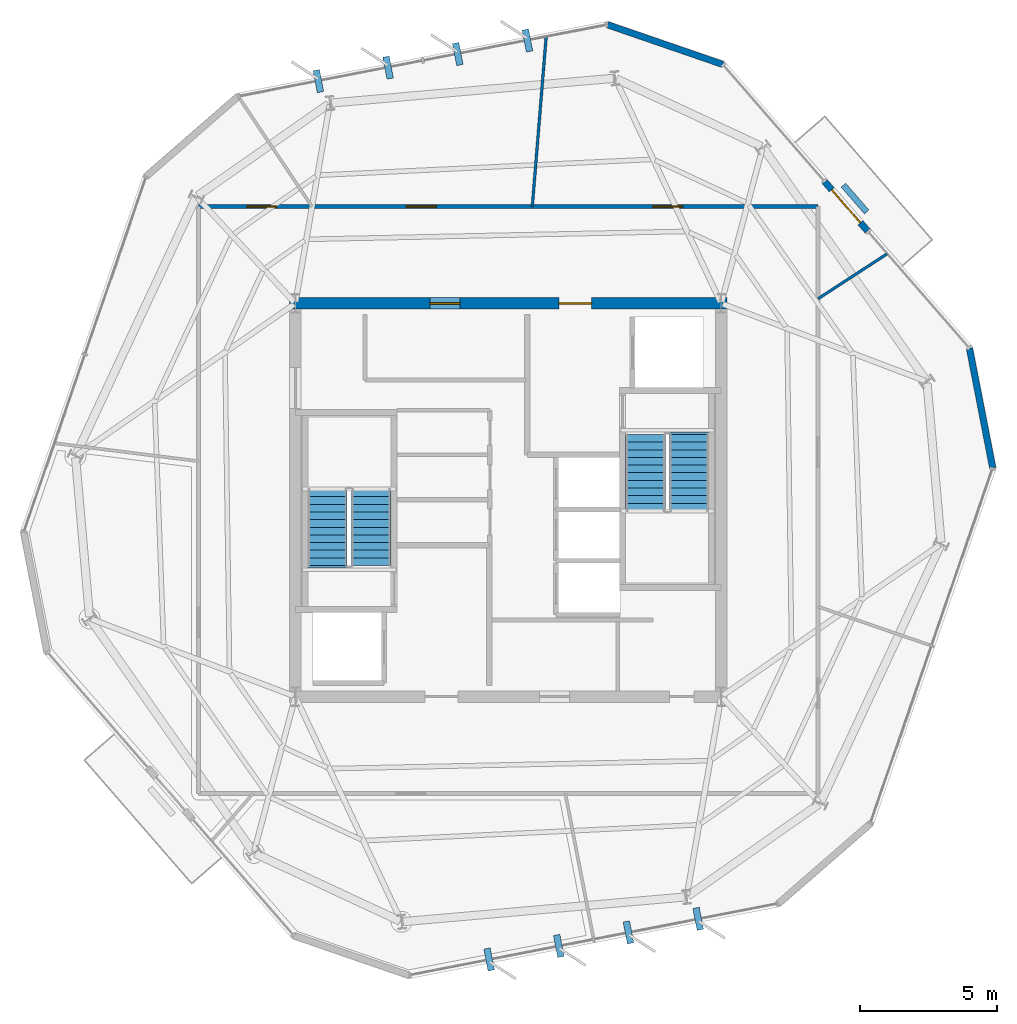
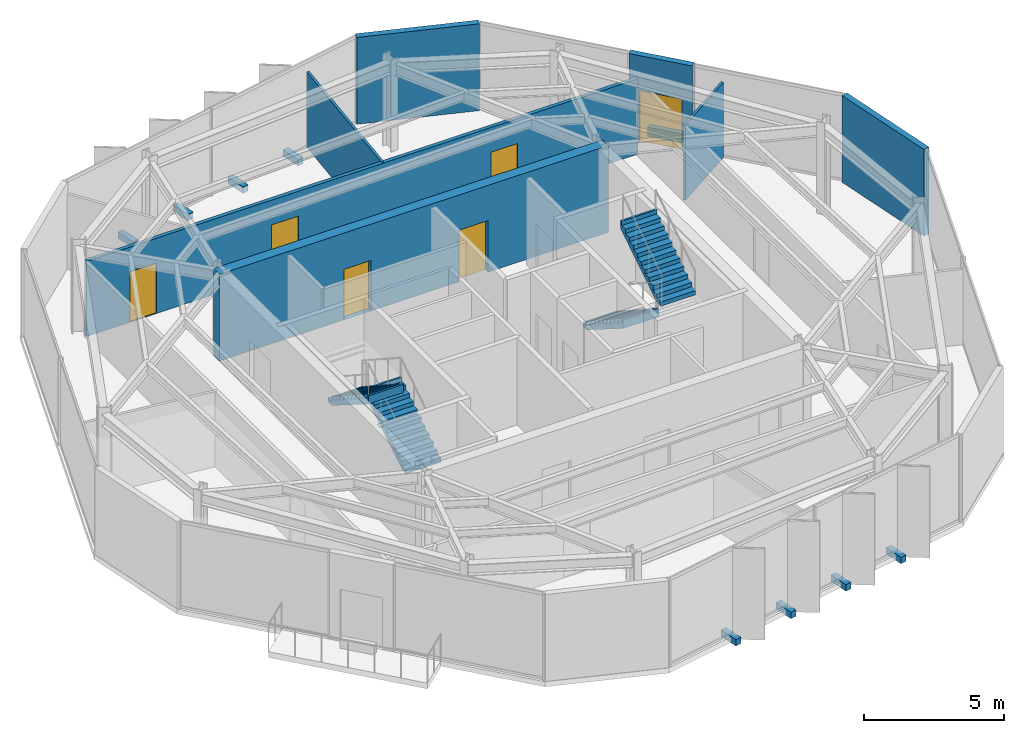
# One storey, part 8 of 10: 8 discrete accessories, 8 walls, 6 doors, 4 stair flights, 6 openings, 2 elements without a shape of their own.
"""IFC4 building model written with IfcOpenShell, lengths in metres."""

from ifc_helpers import new_model, si_unit, direction, frame, frame_2d, origin, origin_2d, place, context, subcontext, project, spatial, polyline, rectangle, outline, extrude, material, layer, layer_set, type_object, element, fill, aggregate, save


model = new_model("IFC4")

# Units and contexts
model_context = context("Model", 3, precision=1e-05, world=origin(), true_north=direction((0.0, 1.0)))
body_context = subcontext(model_context, "Body", "Model", "MODEL_VIEW")
ifc_project = project(units=[si_unit("LENGTHUNIT", "METRE"), si_unit("AREAUNIT", "SQUARE_METRE"), si_unit("VOLUMEUNIT", "CUBIC_METRE"), si_unit("PLANEANGLEUNIT", "RADIAN"), si_unit("MASSUNIT", "GRAM", prefix="KILO")], contexts=[model_context])

# Site, building, storey
site_placement = place(None, origin())
site = spatial("IfcSite", under=ifc_project, at=site_placement, CompositionType="ELEMENT")
building_placement = place(site_placement, origin())
building = spatial("IfcBuilding", under=site, at=building_placement, Name="Kranzbogen Civic Tower", CompositionType="ELEMENT")
storey_placement = place(building_placement, frame((0.0, 0.0, 310.199951171875)))
storey = spatial("IfcBuildingStorey", under=building, at=storey_placement, Name="L75", CompositionType="ELEMENT", Elevation=310.199951171875)

# Wall, openings, doors
ifc_material_1 = material(Name="Double-Stud Acoustic Gypsum Partition")
ifc_layer_1 = layer(ifc_material_1, 0.14990234375, Name="Double-Stud Acoustic Gypsum Partition")
ifc_layer_set_1 = layer_set([ifc_layer_1], Name="Double-Stud Acoustic Gypsum Partition")
wall_type_1 = type_object("IfcWallType", Name="Acoustic Corridor and Clinical Partition 150 mm", PredefinedType="PARTITIONING", material=ifc_layer_set_1)
wall_1_placement = place(storey_placement, frame((13.64990234375, 35.75, 0.0), z_axis=(0.0, 0.0, 1.0), x_axis=(1.0, 0.0, 0.0)))
wall_1 = element("IfcWall", 1, at=wall_1_placement, inside=storey, type_object=wall_type_1, Name="L75 corridor partition 01", PredefinedType="PARTITIONING", context=body_context, shape_type="SweptSolid", body=[
    extrude(rectangle(XDim=22.7001953125, YDim=0.14990234375, at=frame_2d((11.35009765625, 0.0))), origin(), (0.0, 0.0, 1.0), 3.280029296875),
])
opening_1_placement = place(wall_1_placement, frame((7.6201171875, 0.0, 0.0)))
opening_1 = element("IfcOpeningElement", 2, at=opening_1_placement, cuts=wall_1, Name="Opening D-COR60", PredefinedType="OPENING", context=body_context, shape_type="SweptSolid", body=[
    extrude(rectangle(XDim=1.10009765625, YDim=2.199951171875, at=frame_2d((0.550048828125, 1.10009765625))), frame((0.0, 0.0849609375, 0.0), z_axis=(0.0, -1.0, 0.0), x_axis=(1.0, 0.0, 0.0)), (0.0, 0.0, 1.0), 0.169921875),
])
opening_2_placement = place(wall_1_placement, frame((16.64501953125, 0.0, 0.0)))
opening_2 = element("IfcOpeningElement", 3, at=opening_2_placement, cuts=wall_1, Name="Opening D-COR60", PredefinedType="OPENING", context=body_context, shape_type="SweptSolid", body=[
    extrude(rectangle(XDim=1.10009765625, YDim=2.199951171875, at=frame_2d((0.550048828125, 1.10009765625))), frame((0.0, 0.0849609375, 0.0), z_axis=(0.0, -1.0, 0.0), x_axis=(1.0, 0.0, 0.0)), (0.0, 0.0, 1.0), 0.169921875),
])
opening_3_placement = place(wall_1_placement, frame((1.77294921875, 0.0, 0.0)))
opening_3 = element("IfcOpeningElement", 4, at=opening_3_placement, cuts=wall_1, Name="Opening D-COR60", PredefinedType="OPENING", context=body_context, shape_type="SweptSolid", body=[
    extrude(rectangle(XDim=1.10009765625, YDim=2.199951171875, at=frame_2d((0.550048828125, 1.10009765625))), frame((0.0, 0.0849609375, 0.0), z_axis=(0.0, -1.0, 0.0), x_axis=(1.0, 0.0, 0.0)), (0.0, 0.0, 1.0), 0.169921875),
])
ifc_material_2 = material(Name="Oak Timber and Fire Core", Category="wood")
door_type_1 = type_object("IfcDoorType", Name="Corridor Acoustic Fire Door 1100x2200", OperationType="NOTDEFINED", PredefinedType="DOOR", material=ifc_material_2)
door_1_placement = place(opening_1_placement, origin())
door_1 = element("IfcDoor", 5, at=door_1_placement, inside=storey, type_object=door_type_1, Name="L75 Municipal Exhibition Showroom door", OperationType="SINGLE_SWING_RIGHT", OverallHeight=2.199951171875, OverallWidth=1.10009765625, PredefinedType="DOOR", context=body_context, shape_type="SweptSolid", body=[
    extrude(rectangle(XDim=1.10009765625, YDim=2.199951171875, at=frame_2d((0.550048828125, 1.10009765625))), frame((0.0, 0.02490234375, 0.0), z_axis=(0.0, -1.0, 0.0), x_axis=(1.0, 0.0, 0.0)), (0.0, 0.0, 1.0), 0.050048828125),
])
fill(opening_1, door_1)
door_2_placement = place(opening_2_placement, origin())
door_2 = element("IfcDoor", 6, at=door_2_placement, inside=storey, type_object=door_type_1, Name="L75 Licensing Information Kiosk door", OperationType="SINGLE_SWING_LEFT", OverallHeight=2.199951171875, OverallWidth=1.10009765625, PredefinedType="DOOR", context=body_context, shape_type="SweptSolid", body=[
    extrude(rectangle(XDim=1.10009765625, YDim=2.199951171875, at=frame_2d((0.550048828125, 1.10009765625))), frame((0.0, 0.02490234375, 0.0), z_axis=(0.0, -1.0, 0.0), x_axis=(1.0, 0.0, 0.0)), (0.0, 0.0, 1.0), 0.050048828125),
])
fill(opening_2, door_2)
door_3_placement = place(opening_3_placement, origin())
door_3 = element("IfcDoor", 7, at=door_3_placement, inside=storey, type_object=door_type_1, Name="L75 Delegates Sitting Lounge door", OperationType="SINGLE_SWING_RIGHT", OverallHeight=2.199951171875, OverallWidth=1.10009765625, PredefinedType="DOOR", context=body_context, shape_type="SweptSolid", body=[
    extrude(rectangle(XDim=1.10009765625, YDim=2.199951171875, at=frame_2d((0.550048828125, 1.10009765625))), frame((0.0, 0.02490234375, 0.0), z_axis=(0.0, -1.0, 0.0), x_axis=(1.0, 0.0, 0.0)), (0.0, 0.0, 1.0), 0.050048828125),
])
fill(opening_3, door_3)

# Wall
ifc_material_3 = material(Name="Architectural Precast Terracotta Concrete C40/50", Category="masonry")
ifc_layer_2 = layer(ifc_material_3, 0.219970703125, Name="Architectural Precast Terracotta Concrete C40/50")
ifc_layer_set_2 = layer_set([ifc_layer_2], Name="Architectural Precast Terracotta Concrete C40/50")
wall_type_2 = type_object("IfcWallType", Name="Architectural Tree Planter Kerb Wall 220 mm", PredefinedType="USERDEFINED", material=ifc_layer_set_2)
wall_2_placement = place(storey_placement, frame((38.126953125, 35.550048828125, 0.0), z_axis=(0.0, 0.0, 1.0), x_axis=(-0.655387978368, 0.755292392263, 0.0)))
element("IfcWall", 8, at=wall_2_placement, inside=storey, type_object=wall_type_2, Name="L75 landscaped tree balcony planter L75-TB2", ObjectType="PLANTER_WALL", PredefinedType="USERDEFINED", context=body_context, shape_type="SweptSolid", body=[
    extrude(rectangle(XDim=1.300048828125, YDim=0.219970703125, at=frame_2d((0.64990234375, 0.0))), origin(), (0.0, 0.0, 1.0), 0.400146484375),
])

# Wall, openings, doors
ifc_material_4 = material(Name="Concrete C45/55", Category="concrete")
ifc_layer_3 = layer(ifc_material_4, 0.419921875, Name="Concrete C45/55")
ifc_layer_set_3 = layer_set([ifc_layer_3], Name="Concrete C45/55")
wall_type_3 = type_object("IfcWallType", Name="Central Core Shear Wall 420 mm", PredefinedType="SHEAR", material=ifc_layer_set_3)
wall_3_placement = place(storey_placement, frame((33.010009765625, 32.199951171875, 0.0), z_axis=(0.0, 0.0, 1.0), x_axis=(-1.0, 0.0, 0.0)))
wall_3 = element("IfcWall", 9, at=wall_3_placement, inside=storey, type_object=wall_type_3, Name="L75 central core North shear wall", PredefinedType="SHEAR", context=body_context, shape_type="SweptSolid", body=[
    extrude(rectangle(XDim=16.02001953125, YDim=0.419921875, at=frame_2d((8.010009765625, 0.0))), origin(), (0.0, 0.0, 1.0), 3.780029296875),
])
opening_4_placement = place(wall_3_placement, frame((4.9599609375, 0.0, 0.0)))
opening_4 = element("IfcOpeningElement", 10, at=opening_4_placement, cuts=wall_3, Name="Opening D-EX120", PredefinedType="OPENING", context=body_context, shape_type="SweptSolid", body=[
    extrude(rectangle(XDim=1.199951171875, YDim=2.25, at=frame_2d((0.60009765625, 1.125))), frame((0.0, 0.219970703125, 0.0), z_axis=(0.0, -1.0, 0.0), x_axis=(1.0, 0.0, 0.0)), (0.0, 0.0, 1.0), 0.43994140625),
])
opening_5_placement = place(wall_3_placement, frame((9.784912109375, 0.0, 0.0)))
opening_5 = element("IfcOpeningElement", 11, at=opening_5_placement, cuts=wall_3, Name="Opening D-COR60", PredefinedType="OPENING", context=body_context, shape_type="SweptSolid", body=[
    extrude(rectangle(XDim=1.10009765625, YDim=2.199951171875, at=frame_2d((0.550048828125, 1.10009765625))), frame((0.0, 0.219970703125, 0.0), z_axis=(0.0, -1.0, 0.0), x_axis=(1.0, 0.0, 0.0)), (0.0, 0.0, 1.0), 0.43994140625),
])
door_4_placement = place(opening_5_placement, origin())
door_4 = element("IfcDoor", 12, at=door_4_placement, inside=storey, type_object=door_type_1, Name="L75 DAT1 comms room door", OperationType="SINGLE_SWING_LEFT", OverallHeight=2.199951171875, OverallWidth=1.10009765625, PredefinedType="DOOR", context=body_context, shape_type="SweptSolid", body=[
    extrude(rectangle(XDim=1.10009765625, YDim=2.199951171875, at=frame_2d((0.550048828125, 1.10009765625))), frame((0.0, 0.02490234375, 0.0), z_axis=(0.0, -1.0, 0.0), x_axis=(1.0, 0.0, 0.0)), (0.0, 0.0, 1.0), 0.050048828125),
])
fill(opening_5, door_4)
ifc_material_5 = material(Name="Steel S355", Category="steel")
door_type_2 = type_object("IfcDoorType", Name="Exit Passageway Fire Door 1200x2250", OperationType="NOTDEFINED", PredefinedType="DOOR", material=ifc_material_5)
door_5_placement = place(opening_4_placement, origin())
door_5 = element("IfcDoor", 13, at=door_5_placement, inside=storey, type_object=door_type_2, Name="L75 East firefighting lobby corridor door", OperationType="SINGLE_SWING_LEFT", OverallHeight=2.25, OverallWidth=1.199951171875, PredefinedType="DOOR", context=body_context, shape_type="SweptSolid", body=[
    extrude(rectangle(XDim=1.199951171875, YDim=2.25, at=frame_2d((0.60009765625, 1.125))), frame((0.0, 0.02490234375, 0.0), z_axis=(0.0, -1.0, 0.0), x_axis=(1.0, 0.0, 0.0)), (0.0, 0.0, 1.0), 0.050048828125),
])
fill(opening_4, door_5)

# Walls
ifc_material_6 = material(Name="Demountable Aluminium and Gypsum Partition", Category="aluminium")
ifc_layer_4 = layer(ifc_material_6, 0.10009765625, Name="Demountable Aluminium and Gypsum Partition")
ifc_layer_set_4 = layer_set([ifc_layer_4], Name="Demountable Aluminium and Gypsum Partition")
wall_type_4 = type_object("IfcWallType", Name="Demountable Office Partition 100 mm", PredefinedType="MOVABLE", material=ifc_layer_set_4)
wall_4_placement = place(storey_placement, frame((36.35009765625, 32.3740234375, 0.0), z_axis=(0.0, 0.0, 1.0), x_axis=(0.838454751328, 0.544971219401, 0.0)))
element("IfcWall", 14, at=wall_4_placement, inside=storey, type_object=wall_type_4, Name="L75 radial room partition 06", PredefinedType="MOVABLE", context=body_context, shape_type="SweptSolid", body=[
    extrude(rectangle(XDim=3.005615234375, YDim=0.10009765625, at=frame_2d((1.5029296875, 0.0))), origin(), (0.0, 0.0, 1.0), 3.280029296875),
])
wall_5_placement = place(storey_placement, frame((25.8798828125, 35.75, 0.0), z_axis=(0.0, 0.0, 1.0), x_axis=(0.081435932635, 0.996678578518, 0.0)))
element("IfcWall", 15, at=wall_5_placement, inside=storey, type_object=wall_type_4, Name="L75 radial room partition 07", PredefinedType="MOVABLE", context=body_context, shape_type="SweptSolid", body=[
    extrude(rectangle(XDim=6.226806640625, YDim=0.10009765625, at=frame_2d((3.11328125, 0.0))), origin(), (0.0, 0.0, 1.0), 3.280029296875),
])
ifc_material_7 = material(Name="Pale Anodised Aluminium", Category="aluminium")
ifc_layer_5 = layer(ifc_material_7, 0.239990234375, Name="Pale Anodised Aluminium")
ifc_layer_set_5 = layer_set([ifc_layer_5], Name="Pale Anodised Aluminium")
wall_type_5 = type_object("IfcWallType", Name="Insulated Aluminium Facade Portal Wall 240 mm", PredefinedType="STANDARD", material=ifc_layer_set_5)
wall_6_placement = place(storey_placement, frame((42.7451171875, 26.175048828125, 0.0), z_axis=(0.0, 0.0, 1.0), x_axis=(-0.190824290845, 0.981624210186, 0.0)))
element("IfcWall", 16, at=wall_6_placement, inside=storey, type_object=wall_type_5, Name="L75 chamfered corner facade spandrel 5", PredefinedType="STANDARD", context=body_context, shape_type="SweptSolid", body=[
    extrude(rectangle(XDim=4.465087890625, YDim=0.239990234375, at=frame_2d((2.232421875, 0.0))), origin(), (0.0, 0.0, 1.0), 3.780029296875),
])

# Wall, opening, door
wall_7_placement = place(storey_placement, frame((38.160888671875, 34.85107421875, 0.0), z_axis=(0.0, 0.0, 1.0), x_axis=(-0.655979683466, 0.754778546913, 0.0)))
wall_7 = element("IfcWall", 17, at=wall_7_placement, inside=storey, type_object=wall_type_5, Name="L75 exterior entrance portal wall 1", PredefinedType="STANDARD", context=body_context, shape_type="SweptSolid", body=[
    extrude(rectangle(XDim=2.3994140625, YDim=0.239990234375, at=frame_2d((1.19970703125, 0.0))), origin(), (0.0, 0.0, 1.0), 3.780029296875),
])
opening_6_placement = place(wall_7_placement, frame((0.39990234375, 0.0, 0.0)))
opening_6 = element("IfcOpeningElement", 18, at=opening_6_placement, cuts=wall_7, Name="Opening D-TER", PredefinedType="OPENING", context=body_context, shape_type="SweptSolid", body=[
    extrude(rectangle(XDim=1.60009765625, YDim=2.25, at=frame_2d((0.800048828125, 1.125))), frame((0.0, 0.1298828125, 0.0), z_axis=(0.0, -1.0, 0.0), x_axis=(1.0, 0.0, 0.0)), (0.0, 0.0, 1.0), 0.260009765625),
])
ifc_material_8 = material(Name="Anodised Bronze and Triple Glass", Category="glass")
door_type_3 = type_object("IfcDoorType", Name="Glazed Terrace and Balcony Double Door 1600x2250", OperationType="DOUBLE_DOOR_SINGLE_SWING", PredefinedType="DOOR", material=ifc_material_8)
door_6_placement = place(opening_6_placement, frame((1.60009765625, 0.0, 0.0), z_axis=(0.0, 0.0, 1.0), x_axis=(-1.0, 0.0, 0.0)))
door_6 = element("IfcDoor", 19, at=door_6_placement, inside=storey, type_object=door_type_3, Name="L75 tree balcony access door L75-TB2", OperationType="DOUBLE_DOOR_SINGLE_SWING", OverallHeight=2.25, OverallWidth=1.60009765625, PredefinedType="DOOR", context=body_context, shape_type="SweptSolid", body=[
    extrude(rectangle(XDim=1.60009765625, YDim=2.25, at=frame_2d((0.800048828125, 1.125))), frame((0.0, 0.02490234375, 0.0), z_axis=(0.0, -1.0, 0.0), x_axis=(1.0, 0.0, 0.0)), (0.0, 0.0, 1.0), 0.050048828125),
])
fill(opening_6, door_6)

# Wall
wall_8_placement = place(storey_placement, frame((32.85498046875, 40.955078125, 0.0), z_axis=(0.0, 0.0, 1.0), x_axis=(-0.945509443057, 0.325594676077, 0.0)))
element("IfcWall", 20, at=wall_8_placement, inside=storey, type_object=wall_type_5, Name="L75 chamfered corner facade spandrel 6", PredefinedType="STANDARD", context=body_context, shape_type="SweptSolid", body=[
    extrude(rectangle(XDim=4.46533203125, YDim=0.239990234375, at=frame_2d((2.232666015625, 0.0))), origin(), (0.0, 0.0, 1.0), 3.780029296875),
])

# Stair, stair flights
ifc_material_9 = material(Name="Precast concrete C40/50", Category="concrete")
stair_type_1 = type_object("IfcStairType", Name="Tower Core Pressurized Dogleg Stair 1450", PredefinedType="HALF_TURN_STAIR", material=ifc_material_9)
stair_1_placement = place(storey_placement, origin())
stair_1 = element("IfcStair", 21, at=stair_1_placement, inside=storey, type_object=stair_type_1, Name="L75 Tower Core Pressurized Stair 1", PredefinedType="HALF_TURN_STAIR")
stair_flight_type = type_object("IfcStairFlightType", Name="Precast Concrete Stair Flight R180", PredefinedType="STRAIGHT", material=ifc_material_9)
stair_flight_1_placement = place(storey_placement, frame((19.97509765625, 22.60009765625, 0.0), z_axis=(0.0, 0.0, 1.0), x_axis=(0.0, 1.0, 0.0)))
stair_flight_1 = element("IfcStairFlight", 22, at=stair_flight_1_placement, type_object=stair_flight_type, Name="ST-T1 flight 1", NumberOfRisers=11, NumberOfTreads=10, PredefinedType="STRAIGHT", RiserHeight=0.181818182, TreadLength=0.28, context=body_context, shape_type="SweptSolid", body=[
    extrude(outline(polyline([(0.0, 0.0), (0.0, 0.181884765625), (0.280029296875, 0.181884765625), (0.280029296875, 0.363525390625), (0.56005859375, 0.363525390625), (0.56005859375, 0.54541015625), (0.840087890625, 0.54541015625), (0.840087890625, 0.727294921875), (1.1201171875, 0.727294921875), (1.1201171875, 0.9091796875), (1.39990234375, 0.9091796875), (1.39990234375, 1.0908203125), (1.679931640625, 1.0908203125), (1.679931640625, 1.272705078125), (1.9599609375, 1.272705078125), (1.9599609375, 1.45458984375), (2.239990234375, 1.45458984375), (2.239990234375, 1.636474609375), (2.52001953125, 1.636474609375), (2.52001953125, 1.818115234375), (2.800048828125, 1.818115234375), (2.800048828125, 2.0), (2.880126953125, 2.0), (2.880126953125, 1.639404296875), (0.275146484375, 0.0), (0.0, 0.0)])), frame((0.0, 0.72509765625, 0.0), z_axis=(0.0, -1.0, 0.0), x_axis=(1.0, 0.0, 0.0)), (0.0, 0.0, 1.0), 1.449951171875),
])
stair_flight_2_placement = place(storey_placement, frame((18.375, 25.39990234375, 2.0), z_axis=(0.0, 0.0, 1.0), x_axis=(0.0, -1.0, 0.0)))
stair_flight_2 = element("IfcStairFlight", 23, at=stair_flight_2_placement, type_object=stair_flight_type, Name="ST-T1 flight 2", NumberOfRisers=11, NumberOfTreads=10, PredefinedType="STRAIGHT", RiserHeight=0.181818182, TreadLength=0.28, context=body_context, shape_type="SweptSolid", body=[
    extrude(outline(polyline([(0.0, 0.0), (0.0, 0.181884765625), (0.280029296875, 0.181884765625), (0.280029296875, 0.363525390625), (0.56005859375, 0.363525390625), (0.56005859375, 0.54541015625), (0.840087890625, 0.54541015625), (0.840087890625, 0.727294921875), (1.1201171875, 0.727294921875), (1.1201171875, 0.9091796875), (1.39990234375, 0.9091796875), (1.39990234375, 1.0908203125), (1.679931640625, 1.0908203125), (1.679931640625, 1.272705078125), (1.9599609375, 1.272705078125), (1.9599609375, 1.45458984375), (2.239990234375, 1.45458984375), (2.239990234375, 1.636474609375), (2.52001953125, 1.636474609375), (2.52001953125, 1.818115234375), (2.800048828125, 1.818115234375), (2.800048828125, 2.0), (2.880126953125, 2.0), (2.880126953125, 1.639404296875), (0.275146484375, 0.0), (0.0, 0.0)])), frame((0.0, 0.72509765625, 0.0), z_axis=(0.0, -1.0, 0.0), x_axis=(1.0, 0.0, 0.0)), (0.0, 0.0, 1.0), 1.449951171875),
])
aggregate(stair_1, [stair_flight_1, stair_flight_2])

stair_type_2 = type_object("IfcStairType", Name="Tower Core Secondary Dogleg Stair 1450", PredefinedType="HALF_TURN_STAIR", material=ifc_material_9)
stair_2_placement = place(storey_placement, origin())
stair_2 = element("IfcStair", 24, at=stair_2_placement, inside=storey, type_object=stair_type_2, Name="L75 Tower Core Pressurized Stair 2", PredefinedType="HALF_TURN_STAIR")
stair_flight_3_placement = place(storey_placement, frame((30.02490234375, 27.39990234375, 0.0), z_axis=(0.0, 0.0, 1.0), x_axis=(0.0, -1.0, 0.0)))
stair_flight_3 = element("IfcStairFlight", 25, at=stair_flight_3_placement, type_object=stair_flight_type, Name="ST-T2 flight 1", NumberOfRisers=11, NumberOfTreads=10, PredefinedType="STRAIGHT", RiserHeight=0.181818182, TreadLength=0.28, context=body_context, shape_type="SweptSolid", body=[
    extrude(outline(polyline([(0.0, 0.0), (0.0, 0.181884765625), (0.280029296875, 0.181884765625), (0.280029296875, 0.363525390625), (0.56005859375, 0.363525390625), (0.56005859375, 0.54541015625), (0.840087890625, 0.54541015625), (0.840087890625, 0.727294921875), (1.1201171875, 0.727294921875), (1.1201171875, 0.9091796875), (1.39990234375, 0.9091796875), (1.39990234375, 1.0908203125), (1.679931640625, 1.0908203125), (1.679931640625, 1.272705078125), (1.9599609375, 1.272705078125), (1.9599609375, 1.45458984375), (2.239990234375, 1.45458984375), (2.239990234375, 1.636474609375), (2.52001953125, 1.636474609375), (2.52001953125, 1.818115234375), (2.800048828125, 1.818115234375), (2.800048828125, 2.0), (2.880126953125, 2.0), (2.880126953125, 1.639404296875), (0.275146484375, 0.0), (0.0, 0.0)])), frame((0.0, 0.72509765625, 0.0), z_axis=(0.0, -1.0, 0.0), x_axis=(1.0, 0.0, 0.0)), (0.0, 0.0, 1.0), 1.449951171875),
])
stair_flight_4_placement = place(storey_placement, frame((31.625, 24.60009765625, 2.0), z_axis=(0.0, 0.0, 1.0), x_axis=(0.0, 1.0, 0.0)))
stair_flight_4 = element("IfcStairFlight", 26, at=stair_flight_4_placement, type_object=stair_flight_type, Name="ST-T2 flight 2", NumberOfRisers=11, NumberOfTreads=10, PredefinedType="STRAIGHT", RiserHeight=0.181818182, TreadLength=0.28, context=body_context, shape_type="SweptSolid", body=[
    extrude(outline(polyline([(0.0, 0.0), (0.0, 0.181884765625), (0.280029296875, 0.181884765625), (0.280029296875, 0.363525390625), (0.56005859375, 0.363525390625), (0.56005859375, 0.54541015625), (0.840087890625, 0.54541015625), (0.840087890625, 0.727294921875), (1.1201171875, 0.727294921875), (1.1201171875, 0.9091796875), (1.39990234375, 0.9091796875), (1.39990234375, 1.0908203125), (1.679931640625, 1.0908203125), (1.679931640625, 1.272705078125), (1.9599609375, 1.272705078125), (1.9599609375, 1.45458984375), (2.239990234375, 1.45458984375), (2.239990234375, 1.636474609375), (2.52001953125, 1.636474609375), (2.52001953125, 1.818115234375), (2.800048828125, 1.818115234375), (2.800048828125, 2.0), (2.880126953125, 2.0), (2.880126953125, 1.639404296875), (0.275146484375, 0.0), (0.0, 0.0)])), frame((0.0, 0.72509765625, 0.0), z_axis=(0.0, -1.0, 0.0), x_axis=(1.0, 0.0, 0.0)), (0.0, 0.0, 1.0), 1.449951171875),
])
aggregate(stair_2, [stair_flight_3, stair_flight_4])

# Discrete accessories
discrete_accessory_type = type_object("IfcDiscreteAccessoryType", Name="Structural Curtain-Wall Fin Support Bracket", PredefinedType="BRACKET", material=ifc_material_5)
for number, where, z_axis, x_axis, name in (
    (27, (25.701904296875, 41.827880859375, -0.25), (0.0, 0.0, 1.0), (-0.190808995377, 0.981627183448, 0.0), "L75 facade fin support bracket F1-1"),
    (28, (23.14990234375, 41.33203125, -0.25), (0.0, 0.0, 1.0), (-0.190808995377, 0.981627183448, 0.0), "L75 facade fin support bracket F1-2"),
    (29, (20.597900390625, 40.8359375, -0.25), (0.0, 0.0, 1.0), (-0.190808995377, 0.981627183448, 0.0), "L75 facade fin support bracket F1-3"),
    (30, (18.044921875, 40.340087890625, -0.25), (0.0, 0.0, 1.0), (-0.190808995377, 0.981627183448, 0.0), "L75 facade fin support bracket F1-4"),
    (31, (24.298095703125, 8.172119140625, -0.25), (0.0, 0.0, 1.0), (0.190808995377, -0.981627183448, 0.0), "L75 facade fin support bracket F4-1"),
    (32, (26.85009765625, 8.66796875, -0.25), (0.0, 0.0, 1.0), (0.190808995377, -0.981627183448, 0.0), "L75 facade fin support bracket F4-2"),
    (33, (29.402099609375, 9.1640625, -0.25), (0.0, 0.0, 1.0), (0.190808995377, -0.981627183448, 0.0), "L75 facade fin support bracket F4-3"),
    (34, (31.955078125, 9.659912109375, -0.25), (0.0, 0.0, 1.0), (0.190808995377, -0.981627183448, 0.0), "L75 facade fin support bracket F4-4"),
):
    element("IfcDiscreteAccessory", number, at=place(storey_placement, frame(where, z_axis=z_axis, x_axis=x_axis)), inside=storey, type_object=discrete_accessory_type, Name=name, PredefinedType="BRACKET", context=body_context, shape_type="SweptSolid", body=[
        extrude(rectangle(XDim=0.820068359375, YDim=0.239990234375, at=origin_2d()), origin(), (0.0, 0.0, 1.0), 0.280029296875),
    ])

save(model, "model.ifc")
